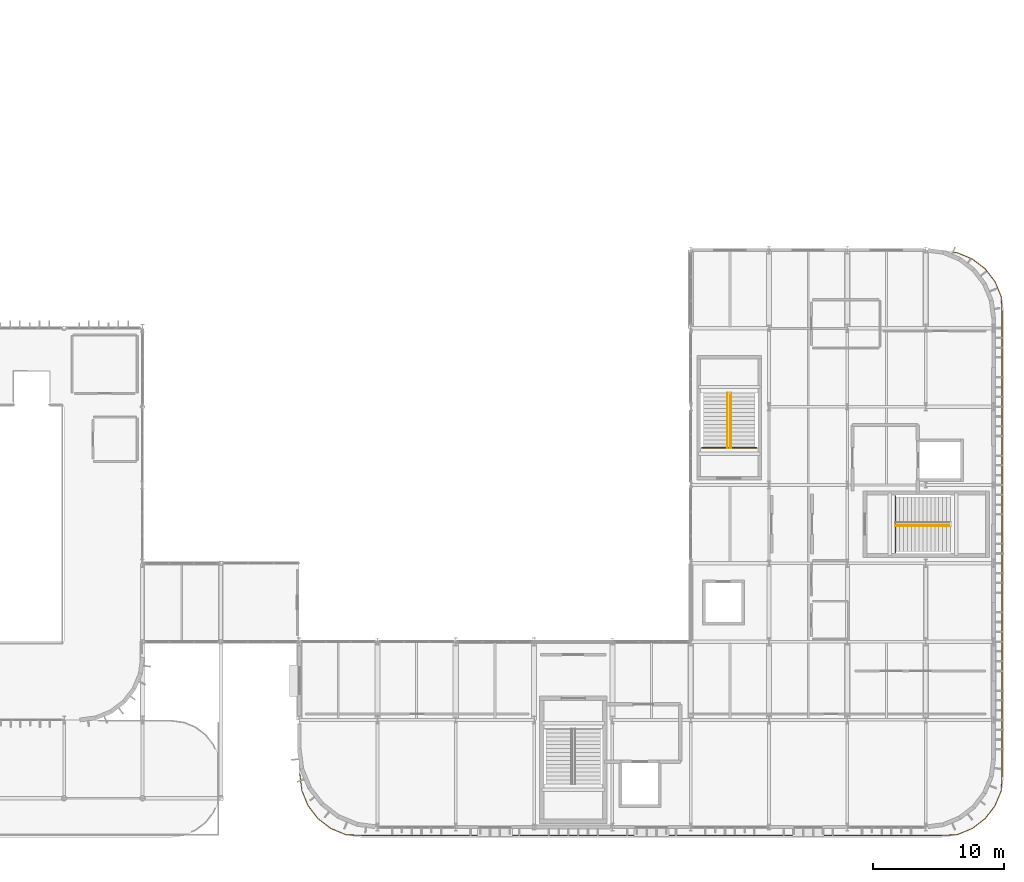
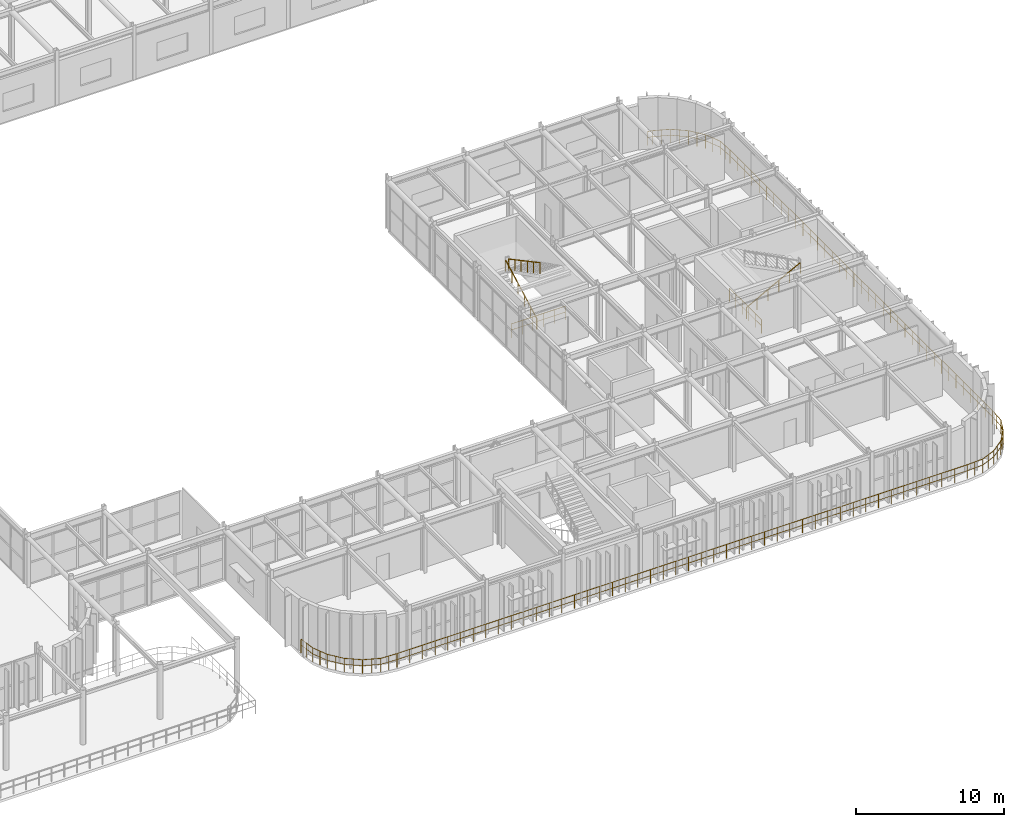
# One storey, part 94 of 96: 6 railings.
"""IFC4 building model written with IfcOpenShell, lengths in metres."""

import ifcopenshell
import ifcopenshell.guid

model = None  # the IFC model being written
_history = None  # IfcOwnerHistory: only IFC2X3 demands one
_inside = {}  # id of a spatial element -> (the spatial element, [elements in it])
_under = {}  # id of a project, library or spatial element -> (it, [spatial elements below it])
_declared = {}  # id of a project -> (the project, [libraries it declares])
_typed = {}  # id of a type object -> (the type object, [elements of that type])
_made_of = {}  # id of a material, layer set ... -> (it, [elements and type objects made of it])


def new_model(schema):
    """Start an empty IFC model of exactly this schema.

    Asked for "IFC4X3", IfcOpenShell would pick the latest addendum, in which some entities
    have other attributes; the version numbers below select the first issue.
    IFC2X3 requires an IfcOwnerHistory on every rooted entity: one is made here for all.
    """
    global model, _history
    if schema == "IFC4X3":
        model = ifcopenshell.file(schema_version=(4, 3, 0, 0))
    else:
        model = ifcopenshell.file(schema=schema)
    _inside.clear()
    _under.clear()
    _declared.clear()
    _typed.clear()
    _made_of.clear()
    _history = None
    if model.schema == "IFC2X3":
        org = make("IfcOrganization", Name="unknown")
        user = make(
            "IfcPersonAndOrganization",
            ThePerson=make("IfcPerson", FamilyName="unknown"),
            TheOrganization=org,
        )
        app = make(
            "IfcApplication",
            ApplicationDeveloper=org,
            Version="unknown",
            ApplicationFullName="unknown",
            ApplicationIdentifier="unknown",
        )
        _history = make(
            "IfcOwnerHistory",
            OwningUser=user,
            OwningApplication=app,
            ChangeAction="ADDED",
            CreationDate=0,
        )
    return model


def make(cls, **values):
    """One entity of the class cls with the attributes given. An attribute that is None is left unset."""
    return model.create_entity(
        cls, **{name: value for name, value in values.items() if value is not None}
    )


def rooted(cls, **values):
    """An entity with a GlobalId (a new one), such as an element, a storey or a relation."""
    return make(cls, GlobalId=ifcopenshell.guid.new(), OwnerHistory=_history, **values)


def si_unit(unit_type, name, prefix=None):
    """IfcSIUnit, for example si_unit("LENGTHUNIT", "METRE", prefix="MILLI")."""
    return make("IfcSIUnit", UnitType=unit_type, Prefix=prefix, Name=name)


def assignment(units):
    """IfcUnitAssignment: the units of a project."""
    return None if units is None else make("IfcUnitAssignment", Units=units)


def point(xyz):
    """IfcCartesianPoint."""
    return None if xyz is None else make("IfcCartesianPoint", Coordinates=xyz)


def direction(xyz):
    """IfcDirection."""
    return None if xyz is None else make("IfcDirection", DirectionRatios=xyz)


def frame(location, z_axis=None, x_axis=None):
    """IfcAxis2Placement3D, a coordinate frame: its origin and axes. An axis left out is left unset."""
    return make(
        "IfcAxis2Placement3D",
        Location=point(location),
        Axis=direction(z_axis),
        RefDirection=direction(x_axis),
    )


def frame_2d(location, x_axis=None):
    """IfcAxis2Placement2D, a coordinate frame in the plane: its origin and x axis."""
    return make(
        "IfcAxis2Placement2D", Location=point(location), RefDirection=direction(x_axis)
    )


def origin():
    """The frame at (0, 0, 0) with its axes left unset."""
    return frame((0.0, 0.0, 0.0))


def origin_2d():
    """The frame at (0, 0) in the plane with its x axis left unset."""
    return frame_2d((0.0, 0.0))


def place(relative_to, where):
    """IfcLocalPlacement: puts the frame where relative to a parent placement (None: the world)."""
    return make(
        "IfcLocalPlacement", PlacementRelTo=relative_to, RelativePlacement=where
    )


def context(
    kind, dimensions, precision=None, world=None, true_north=None, identifier=None
):
    """IfcGeometricRepresentationContext, for example the 3D "Model" context."""
    return make(
        "IfcGeometricRepresentationContext",
        ContextIdentifier=identifier,
        ContextType=kind,
        CoordinateSpaceDimension=dimensions,
        Precision=precision,
        WorldCoordinateSystem=world,
        TrueNorth=true_north,
    )


def subcontext(parent, identifier, kind, view, scale=None):
    """IfcGeometricRepresentationSubContext, for example "Body" below "Model"."""
    return make(
        "IfcGeometricRepresentationSubContext",
        ContextIdentifier=identifier,
        ContextType=kind,
        ParentContext=parent,
        TargetScale=scale,
        TargetView=view,
    )


def project(units=None, contexts=None):
    """IfcProject with its units and contexts."""
    return rooted(
        "IfcProject",
        Name="project",
        RepresentationContexts=contexts,
        UnitsInContext=assignment(units),
    )


def spatial(cls, under=None, at=None, **own):
    """A site, building, storey or space (cls), placed at a placement, below another one or the project."""
    s = rooted(cls, ObjectPlacement=at, **own)
    if under is not None:
        _under.setdefault(under.id(), (under, []))[1].append(s)
    return s


def profile(cls, at=None, kind="AREA", **sizes):
    """A parametric profile (cls). Its sizes go by their IFC names, for example OverallWidth=200.0."""
    return make(cls, ProfileType=kind, Position=at, **sizes)


def circle(**sizes):
    """IfcCircleProfileDef."""
    return profile("IfcCircleProfileDef", **sizes)


def extrude(swept, where, along, depth):
    """IfcExtrudedAreaSolid: the profile swept, set in the frame where, extruded along a direction by depth."""
    return make(
        "IfcExtrudedAreaSolid",
        SweptArea=swept,
        Position=where,
        ExtrudedDirection=direction(along),
        Depth=depth,
    )


def shape(context_of_items, identifier, shape_type, items):
    """IfcShapeRepresentation: the items that make up one representation, for example the "Body"."""
    return make(
        "IfcShapeRepresentation",
        ContextOfItems=context_of_items,
        RepresentationIdentifier=identifier,
        RepresentationType=shape_type,
        Items=items,
    )


def material(Name=None, Category=None):
    """IfcMaterial."""
    return make("IfcMaterial", Name=Name, Category=Category)


def made_of(thing, what):
    """Note that an element or type object is made of a material, layer set ...; save() writes the relation."""
    if what is not None:
        _made_of.setdefault(what.id(), (what, []))[1].append(thing)
    return thing


def type_object(cls, material=None, **own):
    """A type object (cls), such as IfcWallType, which elements share."""
    return made_of(rooted(cls, **own), material)


def element(
    cls,
    number,
    at=None,
    inside=None,
    cuts=None,
    type_object=None,
    material=None,
    context=None,
    identifier="Body",
    shape_type=None,
    held_by="IfcProductDefinitionShape",
    body=None,
    shapes=None,
    **own,
):
    """One element of the class cls, such as IfcWall. Its Tag is "e" and its number.

    at: its placement. inside: the storey or other place that contains it. cuts: it is an
    opening in that element (IfcRelVoidsElement). A single representation is given by context,
    identifier, shape_type and body (its items); several are given by shapes. held_by: the class
    of the entity that holds the representations. save() writes the other relations.
    """
    e = rooted(cls, Tag="e%d" % number, ObjectPlacement=at, **own)
    if body is not None:
        shapes = [shape(context, identifier, shape_type, body)]
    if shapes is not None:
        e.Representation = make(held_by, Representations=shapes)
    if inside is not None:
        _inside.setdefault(inside.id(), (inside, []))[1].append(e)
    if cuts is not None:
        rooted(
            "IfcRelVoidsElement", RelatingBuildingElement=cuts, RelatedOpeningElement=e
        )
    if type_object is not None:
        _typed.setdefault(type_object.id(), (type_object, []))[1].append(e)
    return made_of(e, material)


def aggregate(whole, parts):
    """IfcRelAggregates: a whole, such as a stair, and the parts it consists of."""
    return rooted("IfcRelAggregates", RelatingObject=whole, RelatedObjects=parts)


def save(model, path):
    """Write the relations noted so far, then the file.

    IfcRelAggregates (storeys below a building ...), IfcRelContainedInSpatialStructure (elements
    in a storey), IfcRelDefinesByType, IfcRelAssociatesMaterial and IfcRelDeclares: one each for
    every whole, place, type object, material and project.
    """
    for whole, parts in _under.values():
        aggregate(whole, parts)
    for where, things in _inside.values():
        rooted(
            "IfcRelContainedInSpatialStructure",
            RelatedElements=things,
            RelatingStructure=where,
        )
    for kind, things in _typed.values():
        rooted("IfcRelDefinesByType", RelatedObjects=things, RelatingType=kind)
    for what, things in _made_of.values():
        rooted("IfcRelAssociatesMaterial", RelatedObjects=things, RelatingMaterial=what)
    for by, libraries in _declared.values():
        rooted("IfcRelDeclares", RelatingContext=by, RelatedDefinitions=libraries)
    model.write(path)


model = new_model("IFC4")

# Units and contexts
model_context = context("Model", 3, precision=1e-05, world=origin(), true_north=direction((0.0, 1.0)))
body_context = subcontext(model_context, "Body", "Model", "MODEL_VIEW")
ifc_project = project(units=[si_unit("LENGTHUNIT", "METRE"), si_unit("AREAUNIT", "SQUARE_METRE"), si_unit("VOLUMEUNIT", "CUBIC_METRE"), si_unit("PLANEANGLEUNIT", "RADIAN"), si_unit("MASSUNIT", "GRAM", prefix="KILO")], contexts=[model_context])

# Site, building, storey
site_placement = place(None, origin())
site = spatial("IfcSite", under=ifc_project, at=site_placement, CompositionType="ELEMENT")
building_placement = place(site_placement, origin())
building = spatial("IfcBuilding", under=site, at=building_placement, Name="Varnakota Square Police Headquarters", CompositionType="ELEMENT")
storey_placement = place(building_placement, frame((0.0, 0.0, 4.800048828125)))
storey = spatial("IfcBuildingStorey", under=building, at=storey_placement, Name="L01", CompositionType="ELEMENT", Elevation=4.800048828125)

# Railings
ifc_material_1 = material(Name="Galvanised Powder-Coated Steel Guardrail", Category="steel")
railing_type_1 = type_object("IfcRailingType", Name="RL-BAL-1150", PredefinedType="BALUSTRADE", material=ifc_material_1)
railing_1_placement = place(storey_placement, frame((158.076171875, 44.834228515625, 0.0)))
element("IfcRailing", 1, at=railing_1_placement, inside=storey, type_object=railing_type_1, Name="Perimeter edge safety guard GD-AUTO-L01-024", PredefinedType="BALUSTRADE", context=body_context, shape_type="SweptSolid", body=[
    extrude(circle(Radius=0.02392578125, at=origin_2d()), frame((0.0, 0.0, 1.1259765625), z_axis=(0.991388830753, -0.130951083454, 0.0), x_axis=(0.130951083454, 0.991388830753, 0.0)), (0.0, 0.0, 1.0), 0.356201171875),
    extrude(circle(Radius=0.01806640625, at=origin_2d()), frame((0.0, 0.0, 0.63232421875), z_axis=(0.991388830753, -0.130951083454, 0.0), x_axis=(0.130951083454, 0.991388830753, 0.0)), (0.0, 0.0, 1.0), 0.356201171875),
    extrude(circle(Radius=0.02392578125, at=origin_2d()), frame((0.35302734375, -0.046630859375, 1.1259765625), z_axis=(0.92391364461, -0.38260106809, 0.0), x_axis=(0.38260106809, 0.92391364461, 0.0)), (0.0, 0.0, 1.0), 1.23974609375),
    extrude(circle(Radius=0.01806640625, at=origin_2d()), frame((0.35302734375, -0.046630859375, 0.63232421875), z_axis=(0.92391364461, -0.38260106809, 0.0), x_axis=(0.38260106809, 0.92391364461, 0.0)), (0.0, 0.0, 1.0), 1.23974609375),
    extrude(circle(Radius=0.02392578125, at=origin_2d()), frame((1.49853515625, -0.52099609375, 1.1259765625), z_axis=(0.793311537696, -0.608815903339, 0.0), x_axis=(0.608815903339, 0.793311537696, 0.0)), (0.0, 0.0, 1.0), 1.239990234375),
    extrude(circle(Radius=0.01806640625, at=origin_2d()), frame((1.49853515625, -0.52099609375, 0.63232421875), z_axis=(0.793311537696, -0.608815903339, 0.0), x_axis=(0.608815903339, 0.793311537696, 0.0)), (0.0, 0.0, 1.0), 1.239990234375),
    extrude(circle(Radius=0.02392578125, at=origin_2d()), frame((2.482177734375, -1.27587890625, 1.1259765625), z_axis=(0.608815903339, -0.793311537696, 0.0), x_axis=(0.793311537696, 0.608815903339, 0.0)), (0.0, 0.0, 1.0), 1.239990234375),
    extrude(circle(Radius=0.01806640625, at=origin_2d()), frame((2.482177734375, -1.27587890625, 0.63232421875), z_axis=(0.608815903339, -0.793311537696, 0.0), x_axis=(0.793311537696, 0.608815903339, 0.0)), (0.0, 0.0, 1.0), 1.239990234375),
    extrude(circle(Radius=0.02392578125, at=origin_2d()), frame((3.237060546875, -2.259521484375, 1.1259765625), z_axis=(0.38260106809, -0.92391364461, 0.0), x_axis=(0.92391364461, 0.38260106809, 0.0)), (0.0, 0.0, 1.0), 1.23974609375),
    extrude(circle(Radius=0.01806640625, at=origin_2d()), frame((3.237060546875, -2.259521484375, 0.63232421875), z_axis=(0.38260106809, -0.92391364461, 0.0), x_axis=(0.92391364461, 0.38260106809, 0.0)), (0.0, 0.0, 1.0), 1.23974609375),
    extrude(circle(Radius=0.02392578125, at=origin_2d()), frame((3.71142578125, -3.405029296875, 1.1259765625), z_axis=(0.05064806659, -0.99871656307, 0.0), x_axis=(0.99871656307, 0.05064806659, 0.0)), (0.0, 0.0, 1.0), 1.23388671875),
    extrude(circle(Radius=0.01806640625, at=origin_2d()), frame((3.71142578125, -3.405029296875, 0.63232421875), z_axis=(0.05064806659, -0.99871656307, 0.0), x_axis=(0.99871656307, 0.05064806659, 0.0)), (0.0, 0.0, 1.0), 1.23388671875),
    extrude(circle(Radius=0.02392578125, at=origin_2d()), frame((3.77392578125, -4.637451171875, 1.1259765625), z_axis=(0.0, -1.0, 0.0), x_axis=(1.0, 0.0, 0.0)), (0.0, 0.0, 1.0), 35.3935546875),
    extrude(circle(Radius=0.01806640625, at=origin_2d()), frame((3.77392578125, -4.637451171875, 0.63232421875), z_axis=(0.0, -1.0, 0.0), x_axis=(1.0, 0.0, 0.0)), (0.0, 0.0, 1.0), 35.3935546875),
    extrude(circle(Radius=0.02392578125, at=origin_2d()), frame((3.77392578125, -40.031005859375, 1.1259765625), z_axis=(-0.05064806659, -0.99871656307, 0.0), x_axis=(0.99871656307, -0.05064806659, 0.0)), (0.0, 0.0, 1.0), 1.23388671875),
    extrude(circle(Radius=0.01806640625, at=origin_2d()), frame((3.77392578125, -40.031005859375, 0.63232421875), z_axis=(-0.05064806659, -0.99871656307, 0.0), x_axis=(0.99871656307, -0.05064806659, 0.0)), (0.0, 0.0, 1.0), 1.23388671875),
    extrude(circle(Radius=0.02392578125, at=origin_2d()), frame((3.71142578125, -41.263427734375, 1.1259765625), z_axis=(-0.38260106809, -0.92391364461, 0.0), x_axis=(0.92391364461, -0.38260106809, 0.0)), (0.0, 0.0, 1.0), 1.23974609375),
    extrude(circle(Radius=0.01806640625, at=origin_2d()), frame((3.71142578125, -41.263427734375, 0.63232421875), z_axis=(-0.38260106809, -0.92391364461, 0.0), x_axis=(0.92391364461, -0.38260106809, 0.0)), (0.0, 0.0, 1.0), 1.23974609375),
    extrude(circle(Radius=0.02392578125, at=origin_2d()), frame((3.237060546875, -42.408935546875, 1.1259765625), z_axis=(-0.608815903339, -0.793311537696, 0.0), x_axis=(0.793311537696, -0.608815903339, 0.0)), (0.0, 0.0, 1.0), 1.239990234375),
    extrude(circle(Radius=0.01806640625, at=origin_2d()), frame((3.237060546875, -42.408935546875, 0.63232421875), z_axis=(-0.608815903339, -0.793311537696, 0.0), x_axis=(0.793311537696, -0.608815903339, 0.0)), (0.0, 0.0, 1.0), 1.239990234375),
    extrude(circle(Radius=0.02392578125, at=origin_2d()), frame((2.482177734375, -43.392578125, 1.1259765625), z_axis=(-0.793311537696, -0.608815903339, 0.0), x_axis=(0.608815903339, -0.793311537696, 0.0)), (0.0, 0.0, 1.0), 1.239990234375),
    extrude(circle(Radius=0.01806640625, at=origin_2d()), frame((2.482177734375, -43.392578125, 0.63232421875), z_axis=(-0.793311537696, -0.608815903339, 0.0), x_axis=(0.608815903339, -0.793311537696, 0.0)), (0.0, 0.0, 1.0), 1.239990234375),
    extrude(circle(Radius=0.02392578125, at=origin_2d()), frame((1.49853515625, -44.1474609375, 1.1259765625), z_axis=(-0.92391364461, -0.38260106809, 0.0), x_axis=(0.38260106809, -0.92391364461, 0.0)), (0.0, 0.0, 1.0), 1.23974609375),
    extrude(circle(Radius=0.01806640625, at=origin_2d()), frame((1.49853515625, -44.1474609375, 0.63232421875), z_axis=(-0.92391364461, -0.38260106809, 0.0), x_axis=(0.38260106809, -0.92391364461, 0.0)), (0.0, 0.0, 1.0), 1.23974609375),
    extrude(circle(Radius=0.02392578125, at=origin_2d()), frame((0.35302734375, -44.621826171875, 1.1259765625), z_axis=(-0.99871656307, -0.05064806659, 0.0), x_axis=(0.05064806659, -0.99871656307, 0.0)), (0.0, 0.0, 1.0), 1.23388671875),
    extrude(circle(Radius=0.01806640625, at=origin_2d()), frame((0.35302734375, -44.621826171875, 0.63232421875), z_axis=(-0.99871656307, -0.05064806659, 0.0), x_axis=(0.05064806659, -0.99871656307, 0.0)), (0.0, 0.0, 1.0), 1.23388671875),
    extrude(circle(Radius=0.02392578125, at=origin_2d()), frame((-0.87939453125, -44.684326171875, 1.1259765625), z_axis=(-1.0, 0.0, 0.0), x_axis=(0.0, -1.0, 0.0)), (0.0, 0.0, 1.0), 44.3935546875),
    extrude(circle(Radius=0.01806640625, at=origin_2d()), frame((-0.87939453125, -44.684326171875, 0.63232421875), z_axis=(-1.0, 0.0, 0.0), x_axis=(0.0, -1.0, 0.0)), (0.0, 0.0, 1.0), 44.3935546875),
    extrude(circle(Radius=0.02392578125, at=origin_2d()), frame((-45.27294921875, -44.684326171875, 1.1259765625), z_axis=(-0.99871656307, 0.05064806659, 0.0), x_axis=(-0.05064806659, -0.99871656307, 0.0)), (0.0, 0.0, 1.0), 1.23388671875),
    extrude(circle(Radius=0.01806640625, at=origin_2d()), frame((-45.27294921875, -44.684326171875, 0.63232421875), z_axis=(-0.99871656307, 0.05064806659, 0.0), x_axis=(-0.05064806659, -0.99871656307, 0.0)), (0.0, 0.0, 1.0), 1.23388671875),
    extrude(circle(Radius=0.02392578125, at=origin_2d()), frame((-46.50537109375, -44.621826171875, 1.1259765625), z_axis=(-0.92391364461, 0.38260106809, 0.0), x_axis=(-0.38260106809, -0.92391364461, 0.0)), (0.0, 0.0, 1.0), 1.23974609375),
    extrude(circle(Radius=0.01806640625, at=origin_2d()), frame((-46.50537109375, -44.621826171875, 0.63232421875), z_axis=(-0.92391364461, 0.38260106809, 0.0), x_axis=(-0.38260106809, -0.92391364461, 0.0)), (0.0, 0.0, 1.0), 1.23974609375),
    extrude(circle(Radius=0.02392578125, at=origin_2d()), frame((-47.65087890625, -44.1474609375, 1.1259765625), z_axis=(-0.793311537696, 0.608815903339, 0.0), x_axis=(-0.608815903339, -0.793311537696, 0.0)), (0.0, 0.0, 1.0), 1.239990234375),
    extrude(circle(Radius=0.01806640625, at=origin_2d()), frame((-47.65087890625, -44.1474609375, 0.63232421875), z_axis=(-0.793311537696, 0.608815903339, 0.0), x_axis=(-0.608815903339, -0.793311537696, 0.0)), (0.0, 0.0, 1.0), 1.239990234375),
    extrude(circle(Radius=0.02392578125, at=origin_2d()), frame((-48.634521484375, -43.392578125, 1.1259765625), z_axis=(-0.608815903339, 0.793311537696, 0.0), x_axis=(-0.793311537696, -0.608815903339, 0.0)), (0.0, 0.0, 1.0), 1.239990234375),
    extrude(circle(Radius=0.01806640625, at=origin_2d()), frame((-48.634521484375, -43.392578125, 0.63232421875), z_axis=(-0.608815903339, 0.793311537696, 0.0), x_axis=(-0.793311537696, -0.608815903339, 0.0)), (0.0, 0.0, 1.0), 1.239990234375),
    extrude(circle(Radius=0.02392578125, at=origin_2d()), frame((-49.389404296875, -42.408935546875, 1.1259765625), z_axis=(-0.38260106809, 0.92391364461, 0.0), x_axis=(-0.92391364461, -0.38260106809, 0.0)), (0.0, 0.0, 1.0), 1.23974609375),
    extrude(circle(Radius=0.01806640625, at=origin_2d()), frame((-49.389404296875, -42.408935546875, 0.63232421875), z_axis=(-0.38260106809, 0.92391364461, 0.0), x_axis=(-0.92391364461, -0.38260106809, 0.0)), (0.0, 0.0, 1.0), 1.23974609375),
    extrude(circle(Radius=0.02392578125, at=origin_2d()), frame((-49.86376953125, -41.263427734375, 1.1259765625), z_axis=(-0.124750448097, 0.992188150352, 0.0), x_axis=(-0.992188150352, -0.124750448097, 0.0)), (0.0, 0.0, 1.0), 1.301513671875),
    extrude(circle(Radius=0.01806640625, at=origin_2d()), frame((-49.86376953125, -41.263427734375, 0.63232421875), z_axis=(-0.124750448097, 0.992188150352, 0.0), x_axis=(-0.992188150352, -0.124750448097, 0.0)), (0.0, 0.0, 1.0), 1.301513671875),
    extrude(circle(Radius=0.02099609375, at=origin_2d()), origin(), (0.0, 0.0, 1.0), 1.101806640625),
    extrude(circle(Radius=0.02099609375, at=origin_2d()), frame((0.35302734375, -0.046630859375, 0.0)), (0.0, 0.0, 1.0), 1.101806640625),
    extrude(circle(Radius=0.02099609375, at=origin_2d()), frame((0.92578125, -0.28369140625, 0.0)), (0.0, 0.0, 1.0), 1.101806640625),
    extrude(circle(Radius=0.02099609375, at=origin_2d()), frame((1.49853515625, -0.52099609375, 0.0)), (0.0, 0.0, 1.0), 1.101806640625),
    extrude(circle(Radius=0.02099609375, at=origin_2d()), frame((1.990234375, -0.8984375, 0.0)), (0.0, 0.0, 1.0), 1.101806640625),
    extrude(circle(Radius=0.02099609375, at=origin_2d()), frame((2.482177734375, -1.27587890625, 0.0)), (0.0, 0.0, 1.0), 1.101806640625),
    extrude(circle(Radius=0.02099609375, at=origin_2d()), frame((2.859619140625, -1.767578125, 0.0)), (0.0, 0.0, 1.0), 1.101806640625),
    extrude(circle(Radius=0.02099609375, at=origin_2d()), frame((3.237060546875, -2.259521484375, 0.0)), (0.0, 0.0, 1.0), 1.101806640625),
    extrude(circle(Radius=0.02099609375, at=origin_2d()), frame((3.47412109375, -2.832275390625, 0.0)), (0.0, 0.0, 1.0), 1.101806640625),
    extrude(circle(Radius=0.02099609375, at=origin_2d()), frame((3.71142578125, -3.405029296875, 0.0)), (0.0, 0.0, 1.0), 1.101806640625),
    extrude(circle(Radius=0.02099609375, at=origin_2d()), frame((3.74267578125, -4.021240234375, 0.0)), (0.0, 0.0, 1.0), 1.101806640625),
    extrude(circle(Radius=0.02099609375, at=origin_2d()), frame((3.77392578125, -4.637451171875, 0.0)), (0.0, 0.0, 1.0), 1.101806640625),
    extrude(circle(Radius=0.02099609375, at=origin_2d()), frame((3.77392578125, -5.62060546875, 0.0)), (0.0, 0.0, 1.0), 1.101806640625),
    extrude(circle(Radius=0.02099609375, at=origin_2d()), frame((3.77392578125, -6.603759765625, 0.0)), (0.0, 0.0, 1.0), 1.101806640625),
    extrude(circle(Radius=0.02099609375, at=origin_2d()), frame((3.77392578125, -7.5869140625, 0.0)), (0.0, 0.0, 1.0), 1.101806640625),
    extrude(circle(Radius=0.02099609375, at=origin_2d()), frame((3.77392578125, -8.570068359375, 0.0)), (0.0, 0.0, 1.0), 1.101806640625),
    extrude(circle(Radius=0.02099609375, at=origin_2d()), frame((3.77392578125, -9.55322265625, 0.0)), (0.0, 0.0, 1.0), 1.101806640625),
    extrude(circle(Radius=0.02099609375, at=origin_2d()), frame((3.77392578125, -10.536376953125, 0.0)), (0.0, 0.0, 1.0), 1.101806640625),
    extrude(circle(Radius=0.02099609375, at=origin_2d()), frame((3.77392578125, -11.51953125, 0.0)), (0.0, 0.0, 1.0), 1.101806640625),
    extrude(circle(Radius=0.02099609375, at=origin_2d()), frame((3.77392578125, -12.502685546875, 0.0)), (0.0, 0.0, 1.0), 1.101806640625),
    extrude(circle(Radius=0.02099609375, at=origin_2d()), frame((3.77392578125, -13.48583984375, 0.0)), (0.0, 0.0, 1.0), 1.101806640625),
    extrude(circle(Radius=0.02099609375, at=origin_2d()), frame((3.77392578125, -14.468994140625, 0.0)), (0.0, 0.0, 1.0), 1.101806640625),
    extrude(circle(Radius=0.02099609375, at=origin_2d()), frame((3.77392578125, -15.4521484375, 0.0)), (0.0, 0.0, 1.0), 1.101806640625),
    extrude(circle(Radius=0.02099609375, at=origin_2d()), frame((3.77392578125, -16.435302734375, 0.0)), (0.0, 0.0, 1.0), 1.101806640625),
    extrude(circle(Radius=0.02099609375, at=origin_2d()), frame((3.77392578125, -17.41845703125, 0.0)), (0.0, 0.0, 1.0), 1.101806640625),
    extrude(circle(Radius=0.02099609375, at=origin_2d()), frame((3.77392578125, -18.401611328125, 0.0)), (0.0, 0.0, 1.0), 1.101806640625),
    extrude(circle(Radius=0.02099609375, at=origin_2d()), frame((3.77392578125, -19.384765625, 0.0)), (0.0, 0.0, 1.0), 1.101806640625),
    extrude(circle(Radius=0.02099609375, at=origin_2d()), frame((3.77392578125, -20.367919921875, 0.0)), (0.0, 0.0, 1.0), 1.101806640625),
    extrude(circle(Radius=0.02099609375, at=origin_2d()), frame((3.77392578125, -21.35107421875, 0.0)), (0.0, 0.0, 1.0), 1.101806640625),
    extrude(circle(Radius=0.02099609375, at=origin_2d()), frame((3.77392578125, -22.334228515625, 0.0)), (0.0, 0.0, 1.0), 1.101806640625),
    extrude(circle(Radius=0.02099609375, at=origin_2d()), frame((3.77392578125, -23.3173828125, 0.0)), (0.0, 0.0, 1.0), 1.101806640625),
    extrude(circle(Radius=0.02099609375, at=origin_2d()), frame((3.77392578125, -24.300537109375, 0.0)), (0.0, 0.0, 1.0), 1.101806640625),
    extrude(circle(Radius=0.02099609375, at=origin_2d()), frame((3.77392578125, -25.28369140625, 0.0)), (0.0, 0.0, 1.0), 1.101806640625),
    extrude(circle(Radius=0.02099609375, at=origin_2d()), frame((3.77392578125, -26.266845703125, 0.0)), (0.0, 0.0, 1.0), 1.101806640625),
    extrude(circle(Radius=0.02099609375, at=origin_2d()), frame((3.77392578125, -27.25, 0.0)), (0.0, 0.0, 1.0), 1.101806640625),
    extrude(circle(Radius=0.02099609375, at=origin_2d()), frame((3.77392578125, -28.233154296875, 0.0)), (0.0, 0.0, 1.0), 1.101806640625),
    extrude(circle(Radius=0.02099609375, at=origin_2d()), frame((3.77392578125, -29.21630859375, 0.0)), (0.0, 0.0, 1.0), 1.101806640625),
    extrude(circle(Radius=0.02099609375, at=origin_2d()), frame((3.77392578125, -30.199462890625, 0.0)), (0.0, 0.0, 1.0), 1.101806640625),
    extrude(circle(Radius=0.02099609375, at=origin_2d()), frame((3.77392578125, -31.1826171875, 0.0)), (0.0, 0.0, 1.0), 1.101806640625),
    extrude(circle(Radius=0.02099609375, at=origin_2d()), frame((3.77392578125, -32.165771484375, 0.0)), (0.0, 0.0, 1.0), 1.101806640625),
    extrude(circle(Radius=0.02099609375, at=origin_2d()), frame((3.77392578125, -33.14892578125, 0.0)), (0.0, 0.0, 1.0), 1.101806640625),
    extrude(circle(Radius=0.02099609375, at=origin_2d()), frame((3.77392578125, -34.132080078125, 0.0)), (0.0, 0.0, 1.0), 1.101806640625),
    extrude(circle(Radius=0.02099609375, at=origin_2d()), frame((3.77392578125, -35.115234375, 0.0)), (0.0, 0.0, 1.0), 1.101806640625),
    extrude(circle(Radius=0.02099609375, at=origin_2d()), frame((3.77392578125, -36.098388671875, 0.0)), (0.0, 0.0, 1.0), 1.101806640625),
    extrude(circle(Radius=0.02099609375, at=origin_2d()), frame((3.77392578125, -37.08154296875, 0.0)), (0.0, 0.0, 1.0), 1.101806640625),
    extrude(circle(Radius=0.02099609375, at=origin_2d()), frame((3.77392578125, -38.064697265625, 0.0)), (0.0, 0.0, 1.0), 1.101806640625),
    extrude(circle(Radius=0.02099609375, at=origin_2d()), frame((3.77392578125, -39.0478515625, 0.0)), (0.0, 0.0, 1.0), 1.101806640625),
    extrude(circle(Radius=0.02099609375, at=origin_2d()), frame((3.77392578125, -40.031005859375, 0.0)), (0.0, 0.0, 1.0), 1.101806640625),
    extrude(circle(Radius=0.02099609375, at=origin_2d()), frame((3.74267578125, -40.647216796875, 0.0)), (0.0, 0.0, 1.0), 1.101806640625),
    extrude(circle(Radius=0.02099609375, at=origin_2d()), frame((3.71142578125, -41.263427734375, 0.0)), (0.0, 0.0, 1.0), 1.101806640625),
    extrude(circle(Radius=0.02099609375, at=origin_2d()), frame((3.47412109375, -41.836181640625, 0.0)), (0.0, 0.0, 1.0), 1.101806640625),
    extrude(circle(Radius=0.02099609375, at=origin_2d()), frame((3.237060546875, -42.408935546875, 0.0)), (0.0, 0.0, 1.0), 1.101806640625),
    extrude(circle(Radius=0.02099609375, at=origin_2d()), frame((2.859619140625, -42.90087890625, 0.0)), (0.0, 0.0, 1.0), 1.101806640625),
    extrude(circle(Radius=0.02099609375, at=origin_2d()), frame((2.482177734375, -43.392578125, 0.0)), (0.0, 0.0, 1.0), 1.101806640625),
    extrude(circle(Radius=0.02099609375, at=origin_2d()), frame((1.990234375, -43.77001953125, 0.0)), (0.0, 0.0, 1.0), 1.101806640625),
    extrude(circle(Radius=0.02099609375, at=origin_2d()), frame((1.49853515625, -44.1474609375, 0.0)), (0.0, 0.0, 1.0), 1.101806640625),
    extrude(circle(Radius=0.02099609375, at=origin_2d()), frame((0.92578125, -44.384765625, 0.0)), (0.0, 0.0, 1.0), 1.101806640625),
    extrude(circle(Radius=0.02099609375, at=origin_2d()), frame((0.35302734375, -44.621826171875, 0.0)), (0.0, 0.0, 1.0), 1.101806640625),
    extrude(circle(Radius=0.02099609375, at=origin_2d()), frame((-0.26318359375, -44.653076171875, 0.0)), (0.0, 0.0, 1.0), 1.101806640625),
    extrude(circle(Radius=0.02099609375, at=origin_2d()), frame((-0.87939453125, -44.684326171875, 0.0)), (0.0, 0.0, 1.0), 1.101806640625),
    extrude(circle(Radius=0.02099609375, at=origin_2d()), frame((-1.865966796875, -44.684326171875, 0.0)), (0.0, 0.0, 1.0), 1.101806640625),
    extrude(circle(Radius=0.02099609375, at=origin_2d()), frame((-2.8525390625, -44.684326171875, 0.0)), (0.0, 0.0, 1.0), 1.101806640625),
    extrude(circle(Radius=0.02099609375, at=origin_2d()), frame((-3.8388671875, -44.684326171875, 0.0)), (0.0, 0.0, 1.0), 1.101806640625),
    extrude(circle(Radius=0.02099609375, at=origin_2d()), frame((-4.825439453125, -44.684326171875, 0.0)), (0.0, 0.0, 1.0), 1.101806640625),
    extrude(circle(Radius=0.02099609375, at=origin_2d()), frame((-5.81201171875, -44.684326171875, 0.0)), (0.0, 0.0, 1.0), 1.101806640625),
    extrude(circle(Radius=0.02099609375, at=origin_2d()), frame((-6.798583984375, -44.684326171875, 0.0)), (0.0, 0.0, 1.0), 1.101806640625),
    extrude(circle(Radius=0.02099609375, at=origin_2d()), frame((-7.78515625, -44.684326171875, 0.0)), (0.0, 0.0, 1.0), 1.101806640625),
    extrude(circle(Radius=0.02099609375, at=origin_2d()), frame((-8.771484375, -44.684326171875, 0.0)), (0.0, 0.0, 1.0), 1.101806640625),
    extrude(circle(Radius=0.02099609375, at=origin_2d()), frame((-9.758056640625, -44.684326171875, 0.0)), (0.0, 0.0, 1.0), 1.101806640625),
    extrude(circle(Radius=0.02099609375, at=origin_2d()), frame((-10.74462890625, -44.684326171875, 0.0)), (0.0, 0.0, 1.0), 1.101806640625),
    extrude(circle(Radius=0.02099609375, at=origin_2d()), frame((-11.731201171875, -44.684326171875, 0.0)), (0.0, 0.0, 1.0), 1.101806640625),
    extrude(circle(Radius=0.02099609375, at=origin_2d()), frame((-12.7177734375, -44.684326171875, 0.0)), (0.0, 0.0, 1.0), 1.101806640625),
    extrude(circle(Radius=0.02099609375, at=origin_2d()), frame((-13.7041015625, -44.684326171875, 0.0)), (0.0, 0.0, 1.0), 1.101806640625),
    extrude(circle(Radius=0.02099609375, at=origin_2d()), frame((-14.690673828125, -44.684326171875, 0.0)), (0.0, 0.0, 1.0), 1.101806640625),
    extrude(circle(Radius=0.02099609375, at=origin_2d()), frame((-15.67724609375, -44.684326171875, 0.0)), (0.0, 0.0, 1.0), 1.101806640625),
    extrude(circle(Radius=0.02099609375, at=origin_2d()), frame((-16.663818359375, -44.684326171875, 0.0)), (0.0, 0.0, 1.0), 1.101806640625),
    extrude(circle(Radius=0.02099609375, at=origin_2d()), frame((-17.650390625, -44.684326171875, 0.0)), (0.0, 0.0, 1.0), 1.101806640625),
    extrude(circle(Radius=0.02099609375, at=origin_2d()), frame((-18.63671875, -44.684326171875, 0.0)), (0.0, 0.0, 1.0), 1.101806640625),
    extrude(circle(Radius=0.02099609375, at=origin_2d()), frame((-19.623291015625, -44.684326171875, 0.0)), (0.0, 0.0, 1.0), 1.101806640625),
    extrude(circle(Radius=0.02099609375, at=origin_2d()), frame((-20.60986328125, -44.684326171875, 0.0)), (0.0, 0.0, 1.0), 1.101806640625),
    extrude(circle(Radius=0.02099609375, at=origin_2d()), frame((-21.596435546875, -44.684326171875, 0.0)), (0.0, 0.0, 1.0), 1.101806640625),
    extrude(circle(Radius=0.02099609375, at=origin_2d()), frame((-22.5830078125, -44.684326171875, 0.0)), (0.0, 0.0, 1.0), 1.101806640625),
    extrude(circle(Radius=0.02099609375, at=origin_2d()), frame((-23.5693359375, -44.684326171875, 0.0)), (0.0, 0.0, 1.0), 1.101806640625),
    extrude(circle(Radius=0.02099609375, at=origin_2d()), frame((-24.555908203125, -44.684326171875, 0.0)), (0.0, 0.0, 1.0), 1.101806640625),
    extrude(circle(Radius=0.02099609375, at=origin_2d()), frame((-25.54248046875, -44.684326171875, 0.0)), (0.0, 0.0, 1.0), 1.101806640625),
    extrude(circle(Radius=0.02099609375, at=origin_2d()), frame((-26.529052734375, -44.684326171875, 0.0)), (0.0, 0.0, 1.0), 1.101806640625),
    extrude(circle(Radius=0.02099609375, at=origin_2d()), frame((-27.515625, -44.684326171875, 0.0)), (0.0, 0.0, 1.0), 1.101806640625),
    extrude(circle(Radius=0.02099609375, at=origin_2d()), frame((-28.501953125, -44.684326171875, 0.0)), (0.0, 0.0, 1.0), 1.101806640625),
    extrude(circle(Radius=0.02099609375, at=origin_2d()), frame((-29.488525390625, -44.684326171875, 0.0)), (0.0, 0.0, 1.0), 1.101806640625),
    extrude(circle(Radius=0.02099609375, at=origin_2d()), frame((-30.47509765625, -44.684326171875, 0.0)), (0.0, 0.0, 1.0), 1.101806640625),
    extrude(circle(Radius=0.02099609375, at=origin_2d()), frame((-31.461669921875, -44.684326171875, 0.0)), (0.0, 0.0, 1.0), 1.101806640625),
    extrude(circle(Radius=0.02099609375, at=origin_2d()), frame((-32.4482421875, -44.684326171875, 0.0)), (0.0, 0.0, 1.0), 1.101806640625),
    extrude(circle(Radius=0.02099609375, at=origin_2d()), frame((-33.4345703125, -44.684326171875, 0.0)), (0.0, 0.0, 1.0), 1.101806640625),
    extrude(circle(Radius=0.02099609375, at=origin_2d()), frame((-34.421142578125, -44.684326171875, 0.0)), (0.0, 0.0, 1.0), 1.101806640625),
    extrude(circle(Radius=0.02099609375, at=origin_2d()), frame((-35.40771484375, -44.684326171875, 0.0)), (0.0, 0.0, 1.0), 1.101806640625),
    extrude(circle(Radius=0.02099609375, at=origin_2d()), frame((-36.394287109375, -44.684326171875, 0.0)), (0.0, 0.0, 1.0), 1.101806640625),
    extrude(circle(Radius=0.02099609375, at=origin_2d()), frame((-37.380859375, -44.684326171875, 0.0)), (0.0, 0.0, 1.0), 1.101806640625),
    extrude(circle(Radius=0.02099609375, at=origin_2d()), frame((-38.3671875, -44.684326171875, 0.0)), (0.0, 0.0, 1.0), 1.101806640625),
    extrude(circle(Radius=0.02099609375, at=origin_2d()), frame((-39.353759765625, -44.684326171875, 0.0)), (0.0, 0.0, 1.0), 1.101806640625),
    extrude(circle(Radius=0.02099609375, at=origin_2d()), frame((-40.34033203125, -44.684326171875, 0.0)), (0.0, 0.0, 1.0), 1.101806640625),
    extrude(circle(Radius=0.02099609375, at=origin_2d()), frame((-41.326904296875, -44.684326171875, 0.0)), (0.0, 0.0, 1.0), 1.101806640625),
    extrude(circle(Radius=0.02099609375, at=origin_2d()), frame((-42.3134765625, -44.684326171875, 0.0)), (0.0, 0.0, 1.0), 1.101806640625),
    extrude(circle(Radius=0.02099609375, at=origin_2d()), frame((-43.2998046875, -44.684326171875, 0.0)), (0.0, 0.0, 1.0), 1.101806640625),
    extrude(circle(Radius=0.02099609375, at=origin_2d()), frame((-44.286376953125, -44.684326171875, 0.0)), (0.0, 0.0, 1.0), 1.101806640625),
    extrude(circle(Radius=0.02099609375, at=origin_2d()), frame((-45.27294921875, -44.684326171875, 0.0)), (0.0, 0.0, 1.0), 1.101806640625),
    extrude(circle(Radius=0.02099609375, at=origin_2d()), frame((-45.88916015625, -44.653076171875, 0.0)), (0.0, 0.0, 1.0), 1.101806640625),
    extrude(circle(Radius=0.02099609375, at=origin_2d()), frame((-46.50537109375, -44.621826171875, 0.0)), (0.0, 0.0, 1.0), 1.101806640625),
    extrude(circle(Radius=0.02099609375, at=origin_2d()), frame((-47.078125, -44.384765625, 0.0)), (0.0, 0.0, 1.0), 1.101806640625),
    extrude(circle(Radius=0.02099609375, at=origin_2d()), frame((-47.65087890625, -44.1474609375, 0.0)), (0.0, 0.0, 1.0), 1.101806640625),
    extrude(circle(Radius=0.02099609375, at=origin_2d()), frame((-48.142578125, -43.77001953125, 0.0)), (0.0, 0.0, 1.0), 1.101806640625),
    extrude(circle(Radius=0.02099609375, at=origin_2d()), frame((-48.634521484375, -43.392578125, 0.0)), (0.0, 0.0, 1.0), 1.101806640625),
    extrude(circle(Radius=0.02099609375, at=origin_2d()), frame((-49.011962890625, -42.90087890625, 0.0)), (0.0, 0.0, 1.0), 1.101806640625),
    extrude(circle(Radius=0.02099609375, at=origin_2d()), frame((-49.389404296875, -42.408935546875, 0.0)), (0.0, 0.0, 1.0), 1.101806640625),
    extrude(circle(Radius=0.02099609375, at=origin_2d()), frame((-49.62646484375, -41.836181640625, 0.0)), (0.0, 0.0, 1.0), 1.101806640625),
    extrude(circle(Radius=0.02099609375, at=origin_2d()), frame((-49.86376953125, -41.263427734375, 0.0)), (0.0, 0.0, 1.0), 1.101806640625),
    extrude(circle(Radius=0.02099609375, at=origin_2d()), frame((-49.94482421875, -40.61767578125, 0.0)), (0.0, 0.0, 1.0), 1.101806640625),
    extrude(circle(Radius=0.02099609375, at=origin_2d()), frame((-50.026123046875, -39.97216796875, 0.0)), (0.0, 0.0, 1.0), 1.101806640625),
])
ifc_material_2 = material(Name="Brushed Stainless Steel Tubular Handrail", Category="steel")
railing_type_2 = type_object("IfcRailingType", Name="RL-HND-920", PredefinedType="HANDRAIL", material=ifc_material_2)
railing_2_placement = place(storey_placement, frame((153.699951171875, 23.8798828125, 0.0)))
element("IfcRailing", 2, at=railing_2_placement, inside=storey, type_object=railing_type_2, Name="Stair flight handrail HR-L01-017", PredefinedType="HANDRAIL", context=body_context, shape_type="SweptSolid", body=[
    extrude(circle(Radius=0.02392578125, at=origin_2d()), frame((0.0, 0.0, 0.89599609375), z_axis=(0.881511956786, 0.0, 0.472161699043), x_axis=(0.0, 1.0, 0.0)), (0.0, 0.0, 1.0), 4.765380859375),
    extrude(circle(Radius=0.02099609375, at=origin_2d()), origin(), (0.0, 0.0, 1.0), 0.871826171875),
    extrude(circle(Radius=0.02099609375, at=origin_2d()), frame((0.840087890625, 0.0, 0.449951171875)), (0.0, 0.0, 1.0), 0.871826171875),
    extrude(circle(Radius=0.02099609375, at=origin_2d()), frame((1.68017578125, 0.0, 0.89990234375)), (0.0, 0.0, 1.0), 0.871826171875),
    extrude(circle(Radius=0.02099609375, at=origin_2d()), frame((2.5205078125, 0.0, 1.35009765625)), (0.0, 0.0, 1.0), 0.871826171875),
    extrude(circle(Radius=0.02099609375, at=origin_2d()), frame((3.360595703125, 0.0, 1.800048828125)), (0.0, 0.0, 1.0), 0.871826171875),
    extrude(circle(Radius=0.02099609375, at=origin_2d()), frame((4.20068359375, 0.0, 2.25)), (0.0, 0.0, 1.0), 0.871826171875),
])
railing_3_placement = place(storey_placement, frame((140.829833984375, 29.85009765625, 0.0)))
element("IfcRailing", 3, at=railing_3_placement, inside=storey, type_object=railing_type_2, Name="Stair flight handrail HR-L01-031", PredefinedType="HANDRAIL", context=body_context, shape_type="SweptSolid", body=[
    extrude(circle(Radius=0.02392578125, at=origin_2d()), frame((0.0, 0.0, 0.89599609375), z_axis=(0.0, 0.881511956786, 0.472161699043), x_axis=(-1.0, 0.0, 0.0)), (0.0, 0.0, 1.0), 4.765380859375),
    extrude(circle(Radius=0.02099609375, at=origin_2d()), origin(), (0.0, 0.0, 1.0), 0.871826171875),
    extrude(circle(Radius=0.02099609375, at=origin_2d()), frame((0.0, 0.840087890625, 0.449951171875)), (0.0, 0.0, 1.0), 0.871826171875),
    extrude(circle(Radius=0.02099609375, at=origin_2d()), frame((0.0, 1.68017578125, 0.89990234375)), (0.0, 0.0, 1.0), 0.871826171875),
    extrude(circle(Radius=0.02099609375, at=origin_2d()), frame((0.0, 2.5205078125, 1.35009765625)), (0.0, 0.0, 1.0), 0.871826171875),
    extrude(circle(Radius=0.02099609375, at=origin_2d()), frame((0.0, 3.360595703125, 1.800048828125)), (0.0, 0.0, 1.0), 0.871826171875),
    extrude(circle(Radius=0.02099609375, at=origin_2d()), frame((0.0, 4.20068359375, 2.25)), (0.0, 0.0, 1.0), 0.871826171875),
])
railing_4_placement = place(storey_placement, frame((141.070068359375, 34.05078125, 2.25)))
element("IfcRailing", 4, at=railing_4_placement, inside=storey, type_object=railing_type_2, Name="Stair flight handrail HR-L01-032", PredefinedType="HANDRAIL", context=body_context, shape_type="SweptSolid", body=[
    extrude(circle(Radius=0.02392578125, at=origin_2d()), frame((0.0, 0.0, 0.89599609375), z_axis=(0.0, -0.881511956786, 0.472161699043), x_axis=(1.0, 0.0, 0.0)), (0.0, 0.0, 1.0), 4.765380859375),
    extrude(circle(Radius=0.02099609375, at=origin_2d()), origin(), (0.0, 0.0, 1.0), 0.871826171875),
    extrude(circle(Radius=0.02099609375, at=origin_2d()), frame((0.0, -0.840087890625, 0.449951171875)), (0.0, 0.0, 1.0), 0.871826171875),
    extrude(circle(Radius=0.02099609375, at=origin_2d()), frame((0.0, -1.68017578125, 0.89990234375)), (0.0, 0.0, 1.0), 0.871826171875),
    extrude(circle(Radius=0.02099609375, at=origin_2d()), frame((0.0, -2.5205078125, 1.35009765625)), (0.0, 0.0, 1.0), 0.871826171875),
    extrude(circle(Radius=0.02099609375, at=origin_2d()), frame((0.0, -3.360595703125, 1.800048828125)), (0.0, 0.0, 1.0), 0.871826171875),
    extrude(circle(Radius=0.02099609375, at=origin_2d()), frame((0.0, -4.20068359375, 2.25)), (0.0, 0.0, 1.0), 0.871826171875),
])
ifc_material_3 = material(Name="Laminated Glass and Stainless Steel Balustrade", Category="steel")
railing_type_3 = type_object("IfcRailingType", Name="RL-INT-1150", PredefinedType="BALUSTRADE", material=ifc_material_3)
railing_5_placement = place(storey_placement, frame((153.699951171875, 21.840087890625, 0.0)))
element("IfcRailing", 5, at=railing_5_placement, inside=storey, type_object=railing_type_3, Name="Stair well safety guard C2 L01", PredefinedType="BALUSTRADE", context=body_context, shape_type="SweptSolid", body=[
    extrude(circle(Radius=0.02392578125, at=origin_2d()), frame((0.0, 0.0, 1.1259765625), z_axis=(0.0, 1.0, 0.0), x_axis=(-1.0, 0.0, 0.0)), (0.0, 0.0, 1.0), 4.31982421875),
    extrude(circle(Radius=0.01806640625, at=origin_2d()), frame((0.0, 0.0, 0.63232421875), z_axis=(0.0, 1.0, 0.0), x_axis=(-1.0, 0.0, 0.0)), (0.0, 0.0, 1.0), 4.31982421875),
    extrude(circle(Radius=0.02099609375, at=origin_2d()), origin(), (0.0, 0.0, 1.0), 1.101806640625),
    extrude(circle(Radius=0.02099609375, at=origin_2d()), frame((0.0, 0.864013671875, 0.0)), (0.0, 0.0, 1.0), 1.101806640625),
    extrude(circle(Radius=0.02099609375, at=origin_2d()), frame((0.0, 1.72802734375, 0.0)), (0.0, 0.0, 1.0), 1.101806640625),
    extrude(circle(Radius=0.02099609375, at=origin_2d()), frame((0.0, 2.591796875, 0.0)), (0.0, 0.0, 1.0), 1.101806640625),
    extrude(circle(Radius=0.02099609375, at=origin_2d()), frame((0.0, 3.455810546875, 0.0)), (0.0, 0.0, 1.0), 1.101806640625),
    extrude(circle(Radius=0.02099609375, at=origin_2d()), frame((0.0, 4.31982421875, 0.0)), (0.0, 0.0, 1.0), 1.101806640625),
])
railing_6_placement = place(storey_placement, frame((138.840087890625, 29.85009765625, 0.0)))
element("IfcRailing", 6, at=railing_6_placement, inside=storey, type_object=railing_type_3, Name="Stair well safety guard C3 L01", PredefinedType="BALUSTRADE", context=body_context, shape_type="SweptSolid", body=[
    extrude(circle(Radius=0.02392578125, at=origin_2d()), frame((0.0, 0.0, 1.1259765625), z_axis=(1.0, 0.0, 0.0), x_axis=(0.0, 1.0, 0.0)), (0.0, 0.0, 1.0), 4.219970703125),
    extrude(circle(Radius=0.01806640625, at=origin_2d()), frame((0.0, 0.0, 0.63232421875), z_axis=(1.0, 0.0, 0.0), x_axis=(0.0, 1.0, 0.0)), (0.0, 0.0, 1.0), 4.219970703125),
    extrude(circle(Radius=0.02099609375, at=origin_2d()), origin(), (0.0, 0.0, 1.0), 1.101806640625),
    extrude(circle(Radius=0.02099609375, at=origin_2d()), frame((0.843994140625, 0.0, 0.0)), (0.0, 0.0, 1.0), 1.101806640625),
    extrude(circle(Radius=0.02099609375, at=origin_2d()), frame((1.68798828125, 0.0, 0.0)), (0.0, 0.0, 1.0), 1.101806640625),
    extrude(circle(Radius=0.02099609375, at=origin_2d()), frame((2.531982421875, 0.0, 0.0)), (0.0, 0.0, 1.0), 1.101806640625),
    extrude(circle(Radius=0.02099609375, at=origin_2d()), frame((3.3759765625, 0.0, 0.0)), (0.0, 0.0, 1.0), 1.101806640625),
    extrude(circle(Radius=0.02099609375, at=origin_2d()), frame((4.219970703125, 0.0, 0.0)), (0.0, 0.0, 1.0), 1.101806640625),
])

save(model, "model.ifc")
